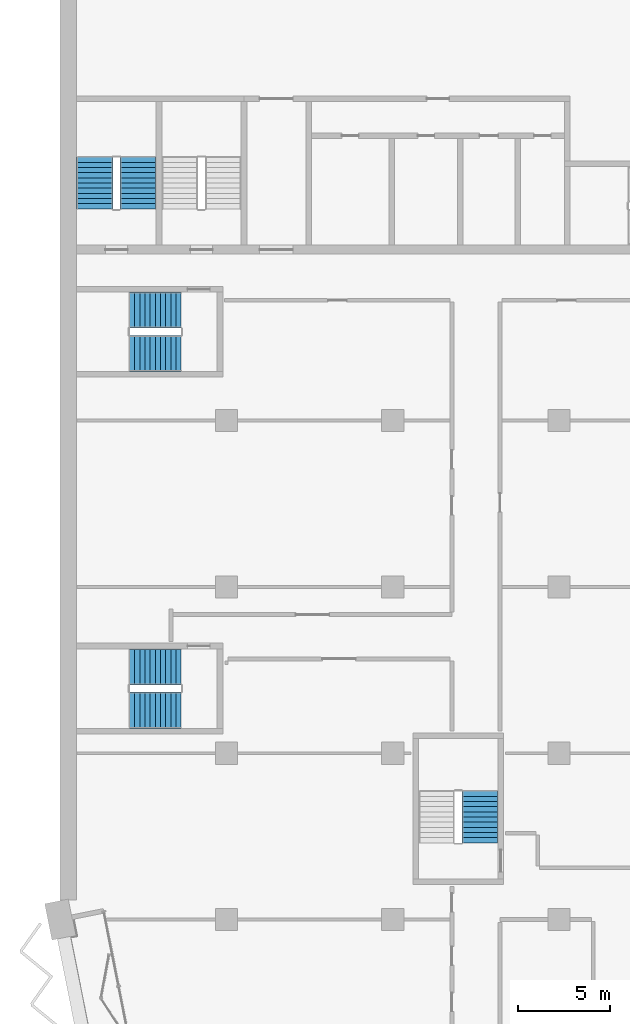
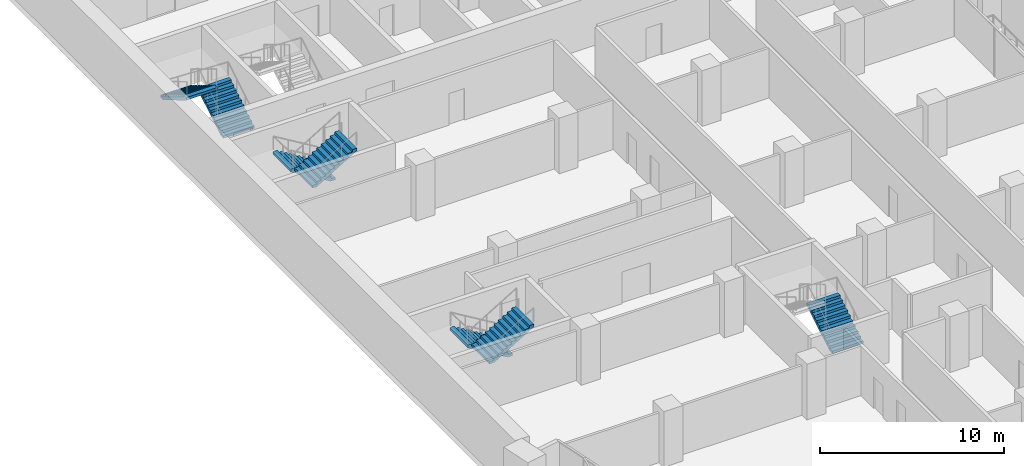
# One storey, part 16 of 23: 7 stair flights, 4 elements without a shape of their own.
"""IFC4 building model written with IfcOpenShell, lengths in metres."""

from ifc_helpers import new_model, si_unit, direction, frame, origin, place, context, subcontext, project, spatial, polyline, outline, extrude, material, type_object, element, aggregate, save


model = new_model("IFC4")

# Units and contexts
model_context = context("Model", 3, precision=1e-05, world=origin(), true_north=direction((0.0, 1.0)))
body_context = subcontext(model_context, "Body", "Model", "MODEL_VIEW")
ifc_project = project(units=[si_unit("LENGTHUNIT", "METRE"), si_unit("AREAUNIT", "SQUARE_METRE"), si_unit("VOLUMEUNIT", "CUBIC_METRE"), si_unit("PLANEANGLEUNIT", "RADIAN"), si_unit("MASSUNIT", "GRAM", prefix="KILO")], contexts=[model_context])

# Site, building, storey
site_placement = place(None, origin())
site = spatial("IfcSite", under=ifc_project, at=site_placement, CompositionType="ELEMENT")
building_placement = place(site_placement, origin())
building = spatial("IfcBuilding", under=site, at=building_placement, Name="Hunhe Ridgeline Campus", CompositionType="ELEMENT")
storey_placement = place(building_placement, frame((0.0, 0.0, 167.10009765625)))
storey = spatial("IfcBuildingStorey", under=building, at=storey_placement, Name="L42", CompositionType="ELEMENT", Elevation=167.10009765625)

# Stair, stair flights
ifc_material = material(Name="Concrete C40", Category="concrete")
stair_type = type_object("IfcStairType", Name="Reinforced concrete dog-leg stair 1950 Concrete C40", PredefinedType="HALF_TURN_STAIR", material=ifc_material)
stair_1_placement = place(storey_placement, origin())
stair_1 = element("IfcStair", 1, at=stair_1_placement, inside=storey, type_object=stair_type, Name="L42 S3", PredefinedType="HALF_TURN_STAIR")
stair_flight_type = type_object("IfcStairFlightType", Name="Reinforced concrete stair flight 1950 Concrete C40", PredefinedType="STRAIGHT", material=ifc_material)
stair_flight_1_placement = place(storey_placement, frame((4.22509765625, 65.449951171875, 0.0), z_axis=(0.0, 0.0, 1.0), x_axis=(0.0, 1.0, 0.0)))
stair_flight_1 = element("IfcStairFlight", 2, at=stair_flight_1_placement, type_object=stair_flight_type, Name="ST3 flight 1", NumberOfRisers=11, NumberOfTreads=10, PredefinedType="STRAIGHT", RiserHeight=0.168181818, TreadLength=0.28, context=body_context, shape_type="SweptSolid", body=[
    extrude(outline(polyline([(0.0, 0.0), (0.0, 0.168212890625), (0.280029296875, 0.168212890625), (0.280029296875, 0.33642578125), (0.56005859375, 0.33642578125), (0.56005859375, 0.504638671875), (0.840087890625, 0.504638671875), (0.840087890625, 0.672607421875), (1.1201171875, 0.672607421875), (1.1201171875, 0.8408203125), (1.39990234375, 0.8408203125), (1.39990234375, 1.009033203125), (1.679931640625, 1.009033203125), (1.679931640625, 1.17724609375), (1.9599609375, 1.17724609375), (1.9599609375, 1.345458984375), (2.239990234375, 1.345458984375), (2.239990234375, 1.513671875), (2.52001953125, 1.513671875), (2.52001953125, 1.681884765625), (2.800048828125, 1.681884765625), (2.800048828125, 1.85009765625), (2.800048828125, 1.5068359375), (0.291015625, 0.0), (0.0, 0.0)])), frame((0.0, 0.97509765625, 0.0), z_axis=(0.0, -1.0, 0.0), x_axis=(1.0, 0.0, 0.0)), (0.0, 0.0, 1.0), 1.949951171875),
    extrude(outline(polyline([(0.030029296875, 0.030029296875), (0.030029296875, 0.13818359375), (0.31005859375, 0.13818359375), (0.31005859375, 0.306396484375), (0.590087890625, 0.306396484375), (0.590087890625, 0.474609375), (0.8701171875, 0.474609375), (0.8701171875, 0.642578125), (1.14990234375, 0.642578125), (1.14990234375, 0.810791015625), (1.429931640625, 0.810791015625), (1.429931640625, 0.97900390625), (1.7099609375, 0.97900390625), (1.7099609375, 1.147216796875), (1.989990234375, 1.147216796875), (1.989990234375, 1.3154296875), (2.27001953125, 1.3154296875), (2.27001953125, 1.483642578125), (2.550048828125, 1.483642578125), (2.550048828125, 1.65185546875), (2.77001953125, 1.65185546875), (2.77001953125, 1.52392578125), (0.28271484375, 0.030029296875), (0.030029296875, 0.030029296875)])), frame((0.0, -0.070068359375, 0.0), z_axis=(0.0, -1.0, 0.0), x_axis=(1.0, 0.0, 0.0)), (0.0, 0.0, 1.0), 0.019775390625),
    extrude(outline(polyline([(0.030029296875, 0.030029296875), (0.030029296875, 0.13818359375), (0.31005859375, 0.13818359375), (0.31005859375, 0.306396484375), (0.590087890625, 0.306396484375), (0.590087890625, 0.474609375), (0.8701171875, 0.474609375), (0.8701171875, 0.642578125), (1.14990234375, 0.642578125), (1.14990234375, 0.810791015625), (1.429931640625, 0.810791015625), (1.429931640625, 0.97900390625), (1.7099609375, 0.97900390625), (1.7099609375, 1.147216796875), (1.989990234375, 1.147216796875), (1.989990234375, 1.3154296875), (2.27001953125, 1.3154296875), (2.27001953125, 1.483642578125), (2.550048828125, 1.483642578125), (2.550048828125, 1.65185546875), (2.77001953125, 1.65185546875), (2.77001953125, 1.52392578125), (0.28271484375, 0.030029296875), (0.030029296875, 0.030029296875)])), frame((0.0, 0.010009765625, 0.0), z_axis=(0.0, -1.0, 0.0), x_axis=(1.0, 0.0, 0.0)), (0.0, 0.0, 1.0), 0.019775390625),
    extrude(outline(polyline([(0.030029296875, 0.030029296875), (0.030029296875, 0.13818359375), (0.31005859375, 0.13818359375), (0.31005859375, 0.306396484375), (0.590087890625, 0.306396484375), (0.590087890625, 0.474609375), (0.8701171875, 0.474609375), (0.8701171875, 0.642578125), (1.14990234375, 0.642578125), (1.14990234375, 0.810791015625), (1.429931640625, 0.810791015625), (1.429931640625, 0.97900390625), (1.7099609375, 0.97900390625), (1.7099609375, 1.147216796875), (1.989990234375, 1.147216796875), (1.989990234375, 1.3154296875), (2.27001953125, 1.3154296875), (2.27001953125, 1.483642578125), (2.550048828125, 1.483642578125), (2.550048828125, 1.65185546875), (2.77001953125, 1.65185546875), (2.77001953125, 1.52392578125), (0.28271484375, 0.030029296875), (0.030029296875, 0.030029296875)])), frame((0.0, 0.090087890625, 0.0), z_axis=(0.0, -1.0, 0.0), x_axis=(1.0, 0.0, 0.0)), (0.0, 0.0, 1.0), 0.019775390625),
])
stair_flight_2_placement = place(storey_placement, frame((1.875, 68.25, 1.849853515625), z_axis=(0.0, 0.0, 1.0), x_axis=(0.0, -1.0, 0.0)))
stair_flight_2 = element("IfcStairFlight", 3, at=stair_flight_2_placement, type_object=stair_flight_type, Name="ST3 flight 2", NumberOfRisers=11, NumberOfTreads=10, PredefinedType="STRAIGHT", RiserHeight=0.168181818, TreadLength=0.28, context=body_context, shape_type="SweptSolid", body=[
    extrude(outline(polyline([(0.0, 0.0), (0.0, 0.168212890625), (0.280029296875, 0.168212890625), (0.280029296875, 0.33642578125), (0.56005859375, 0.33642578125), (0.56005859375, 0.504638671875), (0.840087890625, 0.504638671875), (0.840087890625, 0.672607421875), (1.1201171875, 0.672607421875), (1.1201171875, 0.8408203125), (1.39990234375, 0.8408203125), (1.39990234375, 1.009033203125), (1.679931640625, 1.009033203125), (1.679931640625, 1.17724609375), (1.9599609375, 1.17724609375), (1.9599609375, 1.345458984375), (2.239990234375, 1.345458984375), (2.239990234375, 1.513671875), (2.52001953125, 1.513671875), (2.52001953125, 1.681884765625), (2.800048828125, 1.681884765625), (2.800048828125, 1.85009765625), (2.800048828125, 1.5068359375), (0.291015625, 0.0), (0.0, 0.0)])), frame((0.0, 0.97509765625, 0.0), z_axis=(0.0, -1.0, 0.0), x_axis=(1.0, 0.0, 0.0)), (0.0, 0.0, 1.0), 1.949951171875),
    extrude(outline(polyline([(0.030029296875, 0.030029296875), (0.030029296875, 0.13818359375), (0.31005859375, 0.13818359375), (0.31005859375, 0.306396484375), (0.590087890625, 0.306396484375), (0.590087890625, 0.474609375), (0.8701171875, 0.474609375), (0.8701171875, 0.642578125), (1.14990234375, 0.642578125), (1.14990234375, 0.810791015625), (1.429931640625, 0.810791015625), (1.429931640625, 0.97900390625), (1.7099609375, 0.97900390625), (1.7099609375, 1.147216796875), (1.989990234375, 1.147216796875), (1.989990234375, 1.3154296875), (2.27001953125, 1.3154296875), (2.27001953125, 1.483642578125), (2.550048828125, 1.483642578125), (2.550048828125, 1.65185546875), (2.77001953125, 1.65185546875), (2.77001953125, 1.52392578125), (0.28271484375, 0.030029296875), (0.030029296875, 0.030029296875)])), frame((0.0, -0.070068359375, 0.0), z_axis=(0.0, -1.0, 0.0), x_axis=(1.0, 0.0, 0.0)), (0.0, 0.0, 1.0), 0.019775390625),
    extrude(outline(polyline([(0.030029296875, 0.030029296875), (0.030029296875, 0.13818359375), (0.31005859375, 0.13818359375), (0.31005859375, 0.306396484375), (0.590087890625, 0.306396484375), (0.590087890625, 0.474609375), (0.8701171875, 0.474609375), (0.8701171875, 0.642578125), (1.14990234375, 0.642578125), (1.14990234375, 0.810791015625), (1.429931640625, 0.810791015625), (1.429931640625, 0.97900390625), (1.7099609375, 0.97900390625), (1.7099609375, 1.147216796875), (1.989990234375, 1.147216796875), (1.989990234375, 1.3154296875), (2.27001953125, 1.3154296875), (2.27001953125, 1.483642578125), (2.550048828125, 1.483642578125), (2.550048828125, 1.65185546875), (2.77001953125, 1.65185546875), (2.77001953125, 1.52392578125), (0.28271484375, 0.030029296875), (0.030029296875, 0.030029296875)])), frame((0.0, 0.010009765625, 0.0), z_axis=(0.0, -1.0, 0.0), x_axis=(1.0, 0.0, 0.0)), (0.0, 0.0, 1.0), 0.019775390625),
    extrude(outline(polyline([(0.030029296875, 0.030029296875), (0.030029296875, 0.13818359375), (0.31005859375, 0.13818359375), (0.31005859375, 0.306396484375), (0.590087890625, 0.306396484375), (0.590087890625, 0.474609375), (0.8701171875, 0.474609375), (0.8701171875, 0.642578125), (1.14990234375, 0.642578125), (1.14990234375, 0.810791015625), (1.429931640625, 0.810791015625), (1.429931640625, 0.97900390625), (1.7099609375, 0.97900390625), (1.7099609375, 1.147216796875), (1.989990234375, 1.147216796875), (1.989990234375, 1.3154296875), (2.27001953125, 1.3154296875), (2.27001953125, 1.483642578125), (2.550048828125, 1.483642578125), (2.550048828125, 1.65185546875), (2.77001953125, 1.65185546875), (2.77001953125, 1.52392578125), (0.28271484375, 0.030029296875), (0.030029296875, 0.030029296875)])), frame((0.0, 0.090087890625, 0.0), z_axis=(0.0, -1.0, 0.0), x_axis=(1.0, 0.0, 0.0)), (0.0, 0.0, 1.0), 0.019775390625),
])
aggregate(stair_1, [stair_flight_1, stair_flight_2])

# Stair, stair flight
stair_2_placement = place(storey_placement, origin())
stair_2 = element("IfcStair", 4, at=stair_2_placement, inside=storey, type_object=stair_type, Name="L42 W3", PredefinedType="HALF_TURN_STAIR")
stair_flight_3_placement = place(storey_placement, frame((22.72509765625, 31.14990234375, 0.0), z_axis=(0.0, 0.0, 1.0), x_axis=(0.0, 1.0, 0.0)))
stair_flight_3 = element("IfcStairFlight", 5, at=stair_flight_3_placement, type_object=stair_flight_type, Name="ST9 flight 1", NumberOfRisers=11, NumberOfTreads=10, PredefinedType="STRAIGHT", RiserHeight=0.168181818, TreadLength=0.28, context=body_context, shape_type="SweptSolid", body=[
    extrude(outline(polyline([(0.0, 0.0), (0.0, 0.168212890625), (0.280029296875, 0.168212890625), (0.280029296875, 0.33642578125), (0.56005859375, 0.33642578125), (0.56005859375, 0.504638671875), (0.840087890625, 0.504638671875), (0.840087890625, 0.672607421875), (1.1201171875, 0.672607421875), (1.1201171875, 0.8408203125), (1.39990234375, 0.8408203125), (1.39990234375, 1.009033203125), (1.679931640625, 1.009033203125), (1.679931640625, 1.17724609375), (1.9599609375, 1.17724609375), (1.9599609375, 1.345458984375), (2.239990234375, 1.345458984375), (2.239990234375, 1.513671875), (2.52001953125, 1.513671875), (2.52001953125, 1.681884765625), (2.800048828125, 1.681884765625), (2.800048828125, 1.85009765625), (2.800048828125, 1.5068359375), (0.291015625, 0.0), (0.0, 0.0)])), frame((0.0, 0.97509765625, 0.0), z_axis=(0.0, -1.0, 0.0), x_axis=(1.0, 0.0, 0.0)), (0.0, 0.0, 1.0), 1.949951171875),
    extrude(outline(polyline([(0.030029296875, 0.030029296875), (0.030029296875, 0.13818359375), (0.31005859375, 0.13818359375), (0.31005859375, 0.306396484375), (0.590087890625, 0.306396484375), (0.590087890625, 0.474609375), (0.8701171875, 0.474609375), (0.8701171875, 0.642578125), (1.14990234375, 0.642578125), (1.14990234375, 0.810791015625), (1.429931640625, 0.810791015625), (1.429931640625, 0.97900390625), (1.7099609375, 0.97900390625), (1.7099609375, 1.147216796875), (1.989990234375, 1.147216796875), (1.989990234375, 1.3154296875), (2.27001953125, 1.3154296875), (2.27001953125, 1.483642578125), (2.550048828125, 1.483642578125), (2.550048828125, 1.65185546875), (2.77001953125, 1.65185546875), (2.77001953125, 1.52392578125), (0.28271484375, 0.030029296875), (0.030029296875, 0.030029296875)])), frame((0.0, -0.070068359375, 0.0), z_axis=(0.0, -1.0, 0.0), x_axis=(1.0, 0.0, 0.0)), (0.0, 0.0, 1.0), 0.019775390625),
    extrude(outline(polyline([(0.030029296875, 0.030029296875), (0.030029296875, 0.13818359375), (0.31005859375, 0.13818359375), (0.31005859375, 0.306396484375), (0.590087890625, 0.306396484375), (0.590087890625, 0.474609375), (0.8701171875, 0.474609375), (0.8701171875, 0.642578125), (1.14990234375, 0.642578125), (1.14990234375, 0.810791015625), (1.429931640625, 0.810791015625), (1.429931640625, 0.97900390625), (1.7099609375, 0.97900390625), (1.7099609375, 1.147216796875), (1.989990234375, 1.147216796875), (1.989990234375, 1.3154296875), (2.27001953125, 1.3154296875), (2.27001953125, 1.483642578125), (2.550048828125, 1.483642578125), (2.550048828125, 1.65185546875), (2.77001953125, 1.65185546875), (2.77001953125, 1.52392578125), (0.28271484375, 0.030029296875), (0.030029296875, 0.030029296875)])), frame((0.0, 0.010009765625, 0.0), z_axis=(0.0, -1.0, 0.0), x_axis=(1.0, 0.0, 0.0)), (0.0, 0.0, 1.0), 0.019775390625),
    extrude(outline(polyline([(0.030029296875, 0.030029296875), (0.030029296875, 0.13818359375), (0.31005859375, 0.13818359375), (0.31005859375, 0.306396484375), (0.590087890625, 0.306396484375), (0.590087890625, 0.474609375), (0.8701171875, 0.474609375), (0.8701171875, 0.642578125), (1.14990234375, 0.642578125), (1.14990234375, 0.810791015625), (1.429931640625, 0.810791015625), (1.429931640625, 0.97900390625), (1.7099609375, 0.97900390625), (1.7099609375, 1.147216796875), (1.989990234375, 1.147216796875), (1.989990234375, 1.3154296875), (2.27001953125, 1.3154296875), (2.27001953125, 1.483642578125), (2.550048828125, 1.483642578125), (2.550048828125, 1.65185546875), (2.77001953125, 1.65185546875), (2.77001953125, 1.52392578125), (0.28271484375, 0.030029296875), (0.030029296875, 0.030029296875)])), frame((0.0, 0.090087890625, 0.0), z_axis=(0.0, -1.0, 0.0), x_axis=(1.0, 0.0, 0.0)), (0.0, 0.0, 1.0), 0.019775390625),
])
aggregate(stair_2, [stair_flight_3])

# Stair, stair flights
stair_3_placement = place(storey_placement, origin())
stair_3 = element("IfcStair", 6, at=stair_3_placement, inside=storey, type_object=stair_type, Name="L42 W1", PredefinedType="HALF_TURN_STAIR")
stair_flight_4_placement = place(storey_placement, frame((6.550048828125, 40.675048828125, 0.0), z_axis=(0.0, 0.0, 1.0), x_axis=(-1.0, 0.0, 0.0)))
stair_flight_4 = element("IfcStairFlight", 7, at=stair_flight_4_placement, type_object=stair_flight_type, Name="ST11 flight 1", NumberOfRisers=11, NumberOfTreads=10, PredefinedType="STRAIGHT", RiserHeight=0.168181818, TreadLength=0.28, context=body_context, shape_type="SweptSolid", body=[
    extrude(outline(polyline([(0.0, 0.0), (0.0, 0.168212890625), (0.280029296875, 0.168212890625), (0.280029296875, 0.33642578125), (0.56005859375, 0.33642578125), (0.56005859375, 0.504638671875), (0.840087890625, 0.504638671875), (0.840087890625, 0.672607421875), (1.1201171875, 0.672607421875), (1.1201171875, 0.8408203125), (1.39990234375, 0.8408203125), (1.39990234375, 1.009033203125), (1.679931640625, 1.009033203125), (1.679931640625, 1.17724609375), (1.9599609375, 1.17724609375), (1.9599609375, 1.345458984375), (2.239990234375, 1.345458984375), (2.239990234375, 1.513671875), (2.52001953125, 1.513671875), (2.52001953125, 1.681884765625), (2.800048828125, 1.681884765625), (2.800048828125, 1.85009765625), (2.800048828125, 1.5068359375), (0.291015625, 0.0), (0.0, 0.0)])), frame((0.0, 0.97509765625, 0.0), z_axis=(0.0, -1.0, 0.0), x_axis=(1.0, 0.0, 0.0)), (0.0, 0.0, 1.0), 1.949951171875),
    extrude(outline(polyline([(0.030029296875, 0.030029296875), (0.030029296875, 0.13818359375), (0.31005859375, 0.13818359375), (0.31005859375, 0.306396484375), (0.590087890625, 0.306396484375), (0.590087890625, 0.474609375), (0.8701171875, 0.474609375), (0.8701171875, 0.642578125), (1.14990234375, 0.642578125), (1.14990234375, 0.810791015625), (1.429931640625, 0.810791015625), (1.429931640625, 0.97900390625), (1.7099609375, 0.97900390625), (1.7099609375, 1.147216796875), (1.989990234375, 1.147216796875), (1.989990234375, 1.3154296875), (2.27001953125, 1.3154296875), (2.27001953125, 1.483642578125), (2.550048828125, 1.483642578125), (2.550048828125, 1.65185546875), (2.77001953125, 1.65185546875), (2.77001953125, 1.52392578125), (0.28271484375, 0.030029296875), (0.030029296875, 0.030029296875)])), frame((0.0, -0.070068359375, 0.0), z_axis=(0.0, -1.0, 0.0), x_axis=(1.0, 0.0, 0.0)), (0.0, 0.0, 1.0), 0.019775390625),
    extrude(outline(polyline([(0.030029296875, 0.030029296875), (0.030029296875, 0.13818359375), (0.31005859375, 0.13818359375), (0.31005859375, 0.306396484375), (0.590087890625, 0.306396484375), (0.590087890625, 0.474609375), (0.8701171875, 0.474609375), (0.8701171875, 0.642578125), (1.14990234375, 0.642578125), (1.14990234375, 0.810791015625), (1.429931640625, 0.810791015625), (1.429931640625, 0.97900390625), (1.7099609375, 0.97900390625), (1.7099609375, 1.147216796875), (1.989990234375, 1.147216796875), (1.989990234375, 1.3154296875), (2.27001953125, 1.3154296875), (2.27001953125, 1.483642578125), (2.550048828125, 1.483642578125), (2.550048828125, 1.65185546875), (2.77001953125, 1.65185546875), (2.77001953125, 1.52392578125), (0.28271484375, 0.030029296875), (0.030029296875, 0.030029296875)])), frame((0.0, 0.010009765625, 0.0), z_axis=(0.0, -1.0, 0.0), x_axis=(1.0, 0.0, 0.0)), (0.0, 0.0, 1.0), 0.019775390625),
    extrude(outline(polyline([(0.030029296875, 0.030029296875), (0.030029296875, 0.13818359375), (0.31005859375, 0.13818359375), (0.31005859375, 0.306396484375), (0.590087890625, 0.306396484375), (0.590087890625, 0.474609375), (0.8701171875, 0.474609375), (0.8701171875, 0.642578125), (1.14990234375, 0.642578125), (1.14990234375, 0.810791015625), (1.429931640625, 0.810791015625), (1.429931640625, 0.97900390625), (1.7099609375, 0.97900390625), (1.7099609375, 1.147216796875), (1.989990234375, 1.147216796875), (1.989990234375, 1.3154296875), (2.27001953125, 1.3154296875), (2.27001953125, 1.483642578125), (2.550048828125, 1.483642578125), (2.550048828125, 1.65185546875), (2.77001953125, 1.65185546875), (2.77001953125, 1.52392578125), (0.28271484375, 0.030029296875), (0.030029296875, 0.030029296875)])), frame((0.0, 0.090087890625, 0.0), z_axis=(0.0, -1.0, 0.0), x_axis=(1.0, 0.0, 0.0)), (0.0, 0.0, 1.0), 0.019775390625),
])
stair_flight_5_placement = place(storey_placement, frame((3.75, 38.324951171875, 1.849853515625), z_axis=(0.0, 0.0, 1.0), x_axis=(1.0, 0.0, 0.0)))
stair_flight_5 = element("IfcStairFlight", 8, at=stair_flight_5_placement, type_object=stair_flight_type, Name="ST11 flight 2", NumberOfRisers=11, NumberOfTreads=10, PredefinedType="STRAIGHT", RiserHeight=0.168181818, TreadLength=0.28, context=body_context, shape_type="SweptSolid", body=[
    extrude(outline(polyline([(0.0, 0.0), (0.0, 0.168212890625), (0.280029296875, 0.168212890625), (0.280029296875, 0.33642578125), (0.56005859375, 0.33642578125), (0.56005859375, 0.504638671875), (0.840087890625, 0.504638671875), (0.840087890625, 0.672607421875), (1.1201171875, 0.672607421875), (1.1201171875, 0.8408203125), (1.39990234375, 0.8408203125), (1.39990234375, 1.009033203125), (1.679931640625, 1.009033203125), (1.679931640625, 1.17724609375), (1.9599609375, 1.17724609375), (1.9599609375, 1.345458984375), (2.239990234375, 1.345458984375), (2.239990234375, 1.513671875), (2.52001953125, 1.513671875), (2.52001953125, 1.681884765625), (2.800048828125, 1.681884765625), (2.800048828125, 1.85009765625), (2.800048828125, 1.5068359375), (0.291015625, 0.0), (0.0, 0.0)])), frame((0.0, 0.97509765625, 0.0), z_axis=(0.0, -1.0, 0.0), x_axis=(1.0, 0.0, 0.0)), (0.0, 0.0, 1.0), 1.949951171875),
    extrude(outline(polyline([(0.030029296875, 0.030029296875), (0.030029296875, 0.13818359375), (0.31005859375, 0.13818359375), (0.31005859375, 0.306396484375), (0.590087890625, 0.306396484375), (0.590087890625, 0.474609375), (0.8701171875, 0.474609375), (0.8701171875, 0.642578125), (1.14990234375, 0.642578125), (1.14990234375, 0.810791015625), (1.429931640625, 0.810791015625), (1.429931640625, 0.97900390625), (1.7099609375, 0.97900390625), (1.7099609375, 1.147216796875), (1.989990234375, 1.147216796875), (1.989990234375, 1.3154296875), (2.27001953125, 1.3154296875), (2.27001953125, 1.483642578125), (2.550048828125, 1.483642578125), (2.550048828125, 1.65185546875), (2.77001953125, 1.65185546875), (2.77001953125, 1.52392578125), (0.28271484375, 0.030029296875), (0.030029296875, 0.030029296875)])), frame((0.0, -0.070068359375, 0.0), z_axis=(0.0, -1.0, 0.0), x_axis=(1.0, 0.0, 0.0)), (0.0, 0.0, 1.0), 0.019775390625),
    extrude(outline(polyline([(0.030029296875, 0.030029296875), (0.030029296875, 0.13818359375), (0.31005859375, 0.13818359375), (0.31005859375, 0.306396484375), (0.590087890625, 0.306396484375), (0.590087890625, 0.474609375), (0.8701171875, 0.474609375), (0.8701171875, 0.642578125), (1.14990234375, 0.642578125), (1.14990234375, 0.810791015625), (1.429931640625, 0.810791015625), (1.429931640625, 0.97900390625), (1.7099609375, 0.97900390625), (1.7099609375, 1.147216796875), (1.989990234375, 1.147216796875), (1.989990234375, 1.3154296875), (2.27001953125, 1.3154296875), (2.27001953125, 1.483642578125), (2.550048828125, 1.483642578125), (2.550048828125, 1.65185546875), (2.77001953125, 1.65185546875), (2.77001953125, 1.52392578125), (0.28271484375, 0.030029296875), (0.030029296875, 0.030029296875)])), frame((0.0, 0.010009765625, 0.0), z_axis=(0.0, -1.0, 0.0), x_axis=(1.0, 0.0, 0.0)), (0.0, 0.0, 1.0), 0.019775390625),
    extrude(outline(polyline([(0.030029296875, 0.030029296875), (0.030029296875, 0.13818359375), (0.31005859375, 0.13818359375), (0.31005859375, 0.306396484375), (0.590087890625, 0.306396484375), (0.590087890625, 0.474609375), (0.8701171875, 0.474609375), (0.8701171875, 0.642578125), (1.14990234375, 0.642578125), (1.14990234375, 0.810791015625), (1.429931640625, 0.810791015625), (1.429931640625, 0.97900390625), (1.7099609375, 0.97900390625), (1.7099609375, 1.147216796875), (1.989990234375, 1.147216796875), (1.989990234375, 1.3154296875), (2.27001953125, 1.3154296875), (2.27001953125, 1.483642578125), (2.550048828125, 1.483642578125), (2.550048828125, 1.65185546875), (2.77001953125, 1.65185546875), (2.77001953125, 1.52392578125), (0.28271484375, 0.030029296875), (0.030029296875, 0.030029296875)])), frame((0.0, 0.090087890625, 0.0), z_axis=(0.0, -1.0, 0.0), x_axis=(1.0, 0.0, 0.0)), (0.0, 0.0, 1.0), 0.019775390625),
])
aggregate(stair_3, [stair_flight_4, stair_flight_5])

stair_4_placement = place(storey_placement, origin())
stair_4 = element("IfcStair", 9, at=stair_4_placement, inside=storey, type_object=stair_type, Name="L42 W2", PredefinedType="HALF_TURN_STAIR")
stair_flight_6_placement = place(storey_placement, frame((6.550048828125, 59.97509765625, 0.0), z_axis=(0.0, 0.0, 1.0), x_axis=(-1.0, 0.0, 0.0)))
stair_flight_6 = element("IfcStairFlight", 10, at=stair_flight_6_placement, type_object=stair_flight_type, Name="ST12 flight 1", NumberOfRisers=11, NumberOfTreads=10, PredefinedType="STRAIGHT", RiserHeight=0.168181818, TreadLength=0.28, context=body_context, shape_type="SweptSolid", body=[
    extrude(outline(polyline([(0.0, 0.0), (0.0, 0.168212890625), (0.280029296875, 0.168212890625), (0.280029296875, 0.33642578125), (0.56005859375, 0.33642578125), (0.56005859375, 0.504638671875), (0.840087890625, 0.504638671875), (0.840087890625, 0.672607421875), (1.1201171875, 0.672607421875), (1.1201171875, 0.8408203125), (1.39990234375, 0.8408203125), (1.39990234375, 1.009033203125), (1.679931640625, 1.009033203125), (1.679931640625, 1.17724609375), (1.9599609375, 1.17724609375), (1.9599609375, 1.345458984375), (2.239990234375, 1.345458984375), (2.239990234375, 1.513671875), (2.52001953125, 1.513671875), (2.52001953125, 1.681884765625), (2.800048828125, 1.681884765625), (2.800048828125, 1.85009765625), (2.800048828125, 1.5068359375), (0.291015625, 0.0), (0.0, 0.0)])), frame((0.0, 0.97509765625, 0.0), z_axis=(0.0, -1.0, 0.0), x_axis=(1.0, 0.0, 0.0)), (0.0, 0.0, 1.0), 1.949951171875),
    extrude(outline(polyline([(0.030029296875, 0.030029296875), (0.030029296875, 0.13818359375), (0.31005859375, 0.13818359375), (0.31005859375, 0.306396484375), (0.590087890625, 0.306396484375), (0.590087890625, 0.474609375), (0.8701171875, 0.474609375), (0.8701171875, 0.642578125), (1.14990234375, 0.642578125), (1.14990234375, 0.810791015625), (1.429931640625, 0.810791015625), (1.429931640625, 0.97900390625), (1.7099609375, 0.97900390625), (1.7099609375, 1.147216796875), (1.989990234375, 1.147216796875), (1.989990234375, 1.3154296875), (2.27001953125, 1.3154296875), (2.27001953125, 1.483642578125), (2.550048828125, 1.483642578125), (2.550048828125, 1.65185546875), (2.77001953125, 1.65185546875), (2.77001953125, 1.52392578125), (0.28271484375, 0.030029296875), (0.030029296875, 0.030029296875)])), frame((0.0, -0.070068359375, 0.0), z_axis=(0.0, -1.0, 0.0), x_axis=(1.0, 0.0, 0.0)), (0.0, 0.0, 1.0), 0.019775390625),
    extrude(outline(polyline([(0.030029296875, 0.030029296875), (0.030029296875, 0.13818359375), (0.31005859375, 0.13818359375), (0.31005859375, 0.306396484375), (0.590087890625, 0.306396484375), (0.590087890625, 0.474609375), (0.8701171875, 0.474609375), (0.8701171875, 0.642578125), (1.14990234375, 0.642578125), (1.14990234375, 0.810791015625), (1.429931640625, 0.810791015625), (1.429931640625, 0.97900390625), (1.7099609375, 0.97900390625), (1.7099609375, 1.147216796875), (1.989990234375, 1.147216796875), (1.989990234375, 1.3154296875), (2.27001953125, 1.3154296875), (2.27001953125, 1.483642578125), (2.550048828125, 1.483642578125), (2.550048828125, 1.65185546875), (2.77001953125, 1.65185546875), (2.77001953125, 1.52392578125), (0.28271484375, 0.030029296875), (0.030029296875, 0.030029296875)])), frame((0.0, 0.010009765625, 0.0), z_axis=(0.0, -1.0, 0.0), x_axis=(1.0, 0.0, 0.0)), (0.0, 0.0, 1.0), 0.019775390625),
    extrude(outline(polyline([(0.030029296875, 0.030029296875), (0.030029296875, 0.13818359375), (0.31005859375, 0.13818359375), (0.31005859375, 0.306396484375), (0.590087890625, 0.306396484375), (0.590087890625, 0.474609375), (0.8701171875, 0.474609375), (0.8701171875, 0.642578125), (1.14990234375, 0.642578125), (1.14990234375, 0.810791015625), (1.429931640625, 0.810791015625), (1.429931640625, 0.97900390625), (1.7099609375, 0.97900390625), (1.7099609375, 1.147216796875), (1.989990234375, 1.147216796875), (1.989990234375, 1.3154296875), (2.27001953125, 1.3154296875), (2.27001953125, 1.483642578125), (2.550048828125, 1.483642578125), (2.550048828125, 1.65185546875), (2.77001953125, 1.65185546875), (2.77001953125, 1.52392578125), (0.28271484375, 0.030029296875), (0.030029296875, 0.030029296875)])), frame((0.0, 0.090087890625, 0.0), z_axis=(0.0, -1.0, 0.0), x_axis=(1.0, 0.0, 0.0)), (0.0, 0.0, 1.0), 0.019775390625),
])
stair_flight_7_placement = place(storey_placement, frame((3.75, 57.625, 1.849853515625), z_axis=(0.0, 0.0, 1.0), x_axis=(1.0, 0.0, 0.0)))
stair_flight_7 = element("IfcStairFlight", 11, at=stair_flight_7_placement, type_object=stair_flight_type, Name="ST12 flight 2", NumberOfRisers=11, NumberOfTreads=10, PredefinedType="STRAIGHT", RiserHeight=0.168181818, TreadLength=0.28, context=body_context, shape_type="SweptSolid", body=[
    extrude(outline(polyline([(0.0, 0.0), (0.0, 0.168212890625), (0.280029296875, 0.168212890625), (0.280029296875, 0.33642578125), (0.56005859375, 0.33642578125), (0.56005859375, 0.504638671875), (0.840087890625, 0.504638671875), (0.840087890625, 0.672607421875), (1.1201171875, 0.672607421875), (1.1201171875, 0.8408203125), (1.39990234375, 0.8408203125), (1.39990234375, 1.009033203125), (1.679931640625, 1.009033203125), (1.679931640625, 1.17724609375), (1.9599609375, 1.17724609375), (1.9599609375, 1.345458984375), (2.239990234375, 1.345458984375), (2.239990234375, 1.513671875), (2.52001953125, 1.513671875), (2.52001953125, 1.681884765625), (2.800048828125, 1.681884765625), (2.800048828125, 1.85009765625), (2.800048828125, 1.5068359375), (0.291015625, 0.0), (0.0, 0.0)])), frame((0.0, 0.97509765625, 0.0), z_axis=(0.0, -1.0, 0.0), x_axis=(1.0, 0.0, 0.0)), (0.0, 0.0, 1.0), 1.949951171875),
    extrude(outline(polyline([(0.030029296875, 0.030029296875), (0.030029296875, 0.13818359375), (0.31005859375, 0.13818359375), (0.31005859375, 0.306396484375), (0.590087890625, 0.306396484375), (0.590087890625, 0.474609375), (0.8701171875, 0.474609375), (0.8701171875, 0.642578125), (1.14990234375, 0.642578125), (1.14990234375, 0.810791015625), (1.429931640625, 0.810791015625), (1.429931640625, 0.97900390625), (1.7099609375, 0.97900390625), (1.7099609375, 1.147216796875), (1.989990234375, 1.147216796875), (1.989990234375, 1.3154296875), (2.27001953125, 1.3154296875), (2.27001953125, 1.483642578125), (2.550048828125, 1.483642578125), (2.550048828125, 1.65185546875), (2.77001953125, 1.65185546875), (2.77001953125, 1.52392578125), (0.28271484375, 0.030029296875), (0.030029296875, 0.030029296875)])), frame((0.0, -0.070068359375, 0.0), z_axis=(0.0, -1.0, 0.0), x_axis=(1.0, 0.0, 0.0)), (0.0, 0.0, 1.0), 0.019775390625),
    extrude(outline(polyline([(0.030029296875, 0.030029296875), (0.030029296875, 0.13818359375), (0.31005859375, 0.13818359375), (0.31005859375, 0.306396484375), (0.590087890625, 0.306396484375), (0.590087890625, 0.474609375), (0.8701171875, 0.474609375), (0.8701171875, 0.642578125), (1.14990234375, 0.642578125), (1.14990234375, 0.810791015625), (1.429931640625, 0.810791015625), (1.429931640625, 0.97900390625), (1.7099609375, 0.97900390625), (1.7099609375, 1.147216796875), (1.989990234375, 1.147216796875), (1.989990234375, 1.3154296875), (2.27001953125, 1.3154296875), (2.27001953125, 1.483642578125), (2.550048828125, 1.483642578125), (2.550048828125, 1.65185546875), (2.77001953125, 1.65185546875), (2.77001953125, 1.52392578125), (0.28271484375, 0.030029296875), (0.030029296875, 0.030029296875)])), frame((0.0, 0.010009765625, 0.0), z_axis=(0.0, -1.0, 0.0), x_axis=(1.0, 0.0, 0.0)), (0.0, 0.0, 1.0), 0.019775390625),
    extrude(outline(polyline([(0.030029296875, 0.030029296875), (0.030029296875, 0.13818359375), (0.31005859375, 0.13818359375), (0.31005859375, 0.306396484375), (0.590087890625, 0.306396484375), (0.590087890625, 0.474609375), (0.8701171875, 0.474609375), (0.8701171875, 0.642578125), (1.14990234375, 0.642578125), (1.14990234375, 0.810791015625), (1.429931640625, 0.810791015625), (1.429931640625, 0.97900390625), (1.7099609375, 0.97900390625), (1.7099609375, 1.147216796875), (1.989990234375, 1.147216796875), (1.989990234375, 1.3154296875), (2.27001953125, 1.3154296875), (2.27001953125, 1.483642578125), (2.550048828125, 1.483642578125), (2.550048828125, 1.65185546875), (2.77001953125, 1.65185546875), (2.77001953125, 1.52392578125), (0.28271484375, 0.030029296875), (0.030029296875, 0.030029296875)])), frame((0.0, 0.090087890625, 0.0), z_axis=(0.0, -1.0, 0.0), x_axis=(1.0, 0.0, 0.0)), (0.0, 0.0, 1.0), 0.019775390625),
])
aggregate(stair_4, [stair_flight_6, stair_flight_7])

save(model, "model.ifc")
